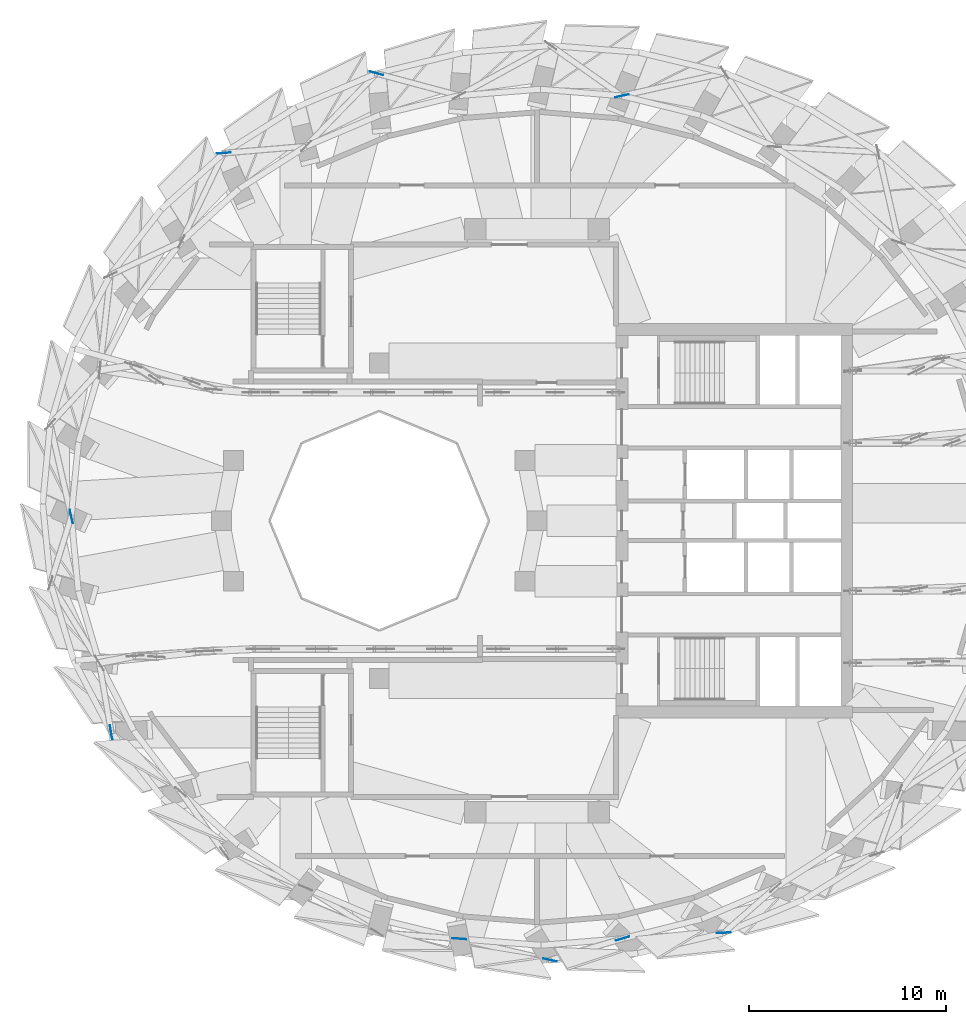
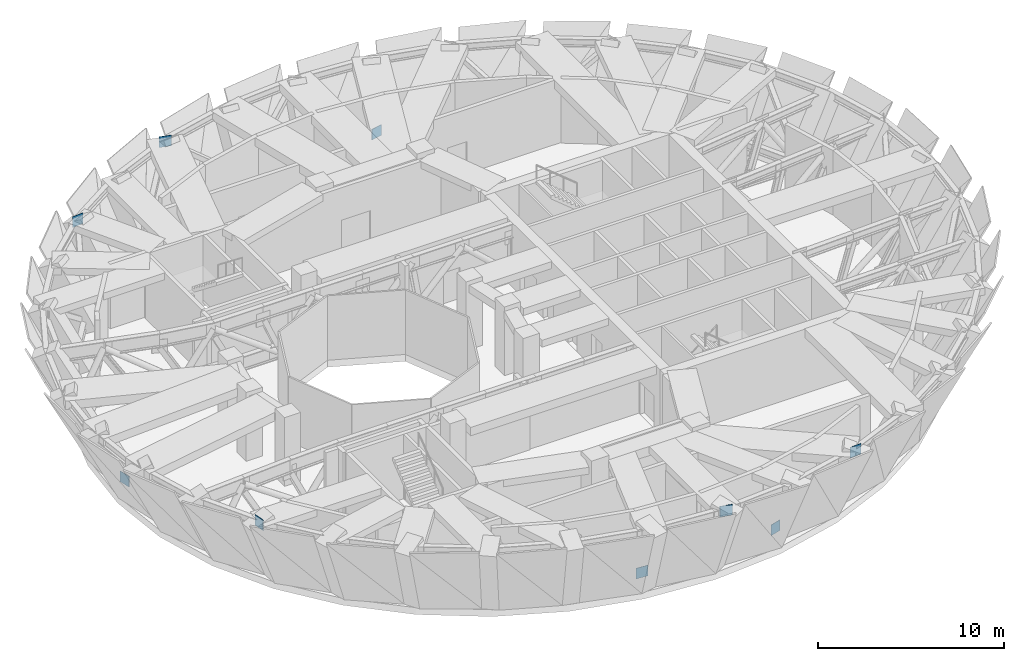
# One storey, part 13 of 16: 9 discrete accessories.
"""IFC4 building model written with IfcOpenShell, lengths in metres."""

from ifc_helpers import new_model, si_unit, direction, frame, origin, origin_2d, place, context, subcontext, project, spatial, rectangle, extrude, material, type_object, element, save


model = new_model("IFC4")

# Units and contexts
model_context = context("Model", 3, precision=1e-05, world=origin(), true_north=direction((0.0, 1.0)))
body_context = subcontext(model_context, "Body", "Model", "MODEL_VIEW")
ifc_project = project(units=[si_unit("LENGTHUNIT", "METRE"), si_unit("AREAUNIT", "SQUARE_METRE"), si_unit("VOLUMEUNIT", "CUBIC_METRE"), si_unit("PLANEANGLEUNIT", "RADIAN"), si_unit("MASSUNIT", "GRAM", prefix="KILO")], contexts=[model_context])

# Site, building, storey
site_placement = place(None, origin())
site = spatial("IfcSite", under=ifc_project, at=site_placement, CompositionType="ELEMENT")
building_placement = place(site_placement, origin())
building = spatial("IfcBuilding", under=site, at=building_placement, Name="Taillehof Tower", CompositionType="ELEMENT")
storey_placement = place(building_placement, frame((0.0, 0.0, 184.699951171875)))
storey = spatial("IfcBuildingStorey", under=building, at=storey_placement, Name="L52", CompositionType="ELEMENT", Elevation=184.699951171875)

# Discrete accessories
ifc_material = material(Name="Steel S460M", Category="steel")
discrete_accessory_type = type_object("IfcDiscreteAccessoryType", Name="Steel gusset plate", PredefinedType="BRACKET", material=ifc_material)
for number, where, z_axis, x_axis, name in (
    (1, (-23.610107421875, 0.219970703125, 0.55029296875), (0.0, 0.0, 1.0), (0.22261208853, -0.974907102262, 0.0), "Gusset plate 208"),
    (2, (-21.590087890625, -10.719970703125, 3.6201171875), (0.0, 0.0, 1.0), (0.169893035928, -0.985462508847, 0.0), "Gusset plate 212"),
    (3, (-15.8798828125, 18.639892578125, 3.6201171875), (0.0, 0.0, 1.0), (-0.996493151334, -0.083674364916, 0.0), "Gusset plate 219"),
    (4, (-8.1298828125, 22.679931640625, 3.6201171875), (0.0, 0.0, 1.0), (-0.965947505673, 0.258738122982, 0.0), "Gusset plate 229"),
    (5, (-3.93994140625, -21.18994140625, 0.55029296875), (0.0, 0.0, 1.0), (0.99699178392, -0.077507308022, 0.0), "Gusset plate 234"),
    (6, (0.64990234375, -22.27001953125, 3.6201171875), (0.0, 0.0, 1.0), (0.973609980553, -0.228218329167, 0.0), "Gusset plate 238"),
    (7, (4.300048828125, 21.5400390625, 0.55029296875), (0.0, 0.0, 1.0), (-0.975987906802, -0.217824713418, 0.0), "Gusset plate 244"),
    (8, (4.340087890625, -21.179931640625, 0.55029296875), (0.0, 0.0, 1.0), (0.959051402723, 0.283232072576, 0.0), "Gusset plate 245"),
    (9, (9.4599609375, -20.889892578125, 3.6201171875), (0.0, 0.0, 1.0), (0.998421316006, 0.056168280586, 0.0), "Gusset plate 246"),
):
    element("IfcDiscreteAccessory", number, at=place(storey_placement, frame(where, z_axis=z_axis, x_axis=x_axis)), inside=storey, type_object=discrete_accessory_type, Name=name, PredefinedType="BRACKET", context=body_context, shape_type="SweptSolid", body=[
        extrude(rectangle(XDim=0.699951171875, YDim=0.02490234375, at=origin_2d()), origin(), (0.0, 0.0, 1.0), 0.699951171875),
    ])

save(model, "model.ifc")
